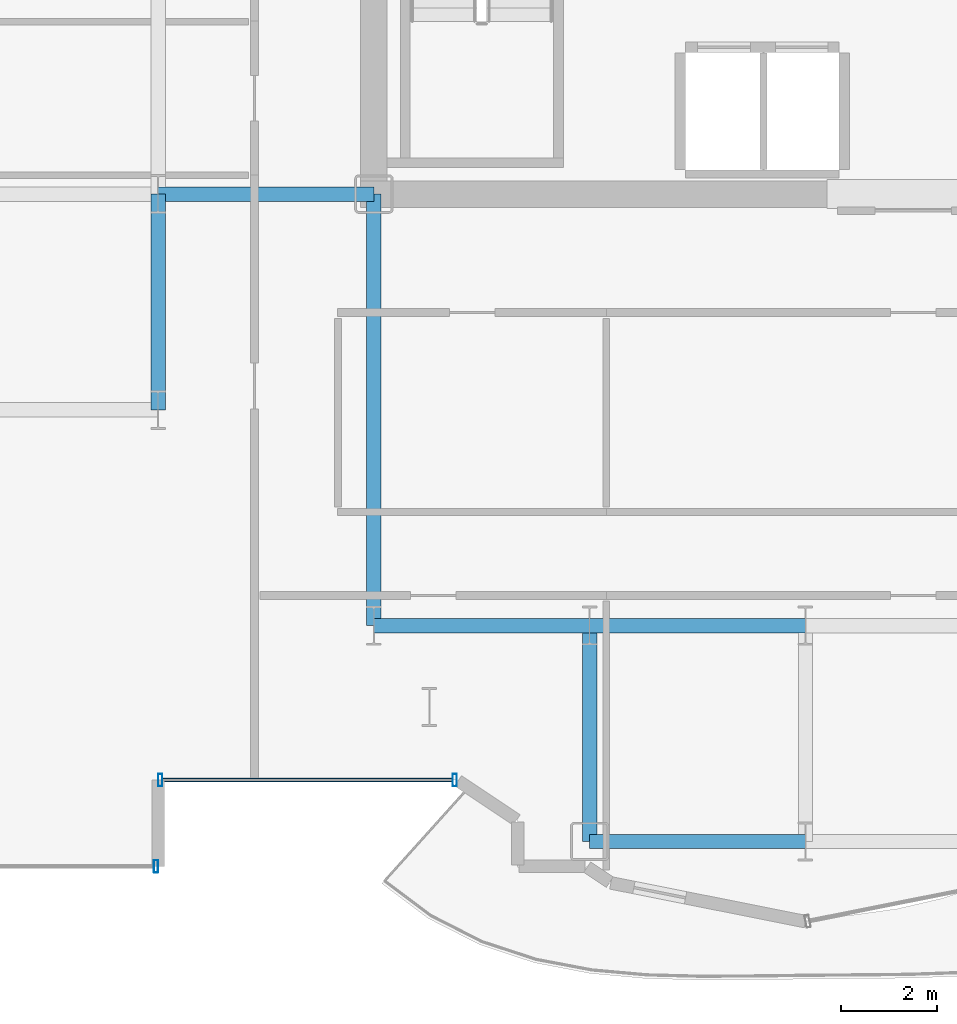
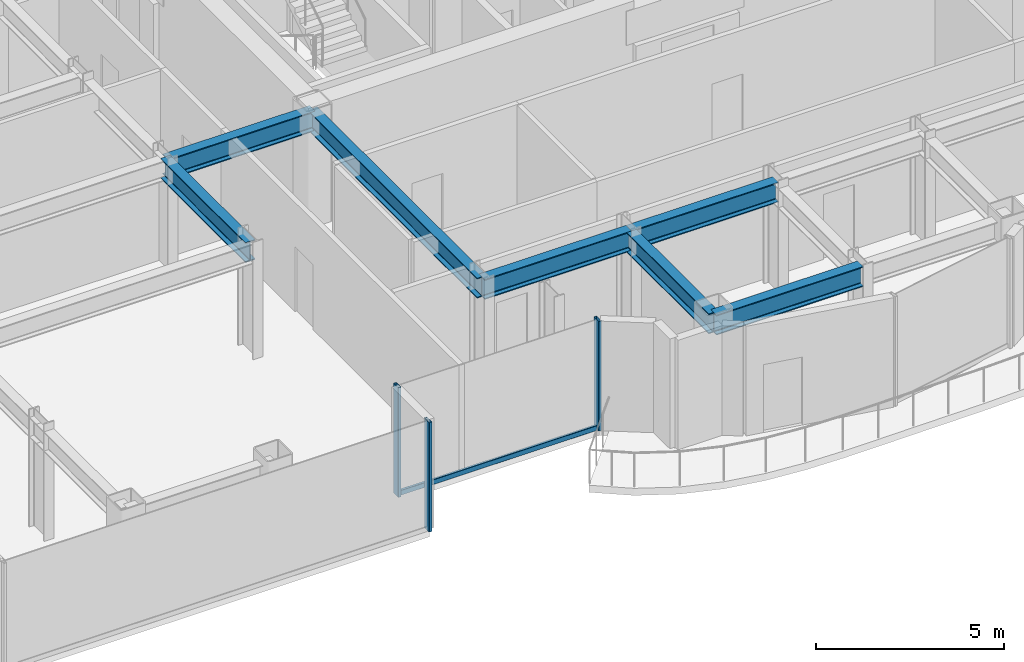
# One storey, part 5 of 22: 7 beams, 4 members, 2 elements without a shape of their own.
"""IFC4 building model written with IfcOpenShell, lengths in metres."""

from ifc_helpers import new_model, si_unit, direction, frame, origin, origin_2d, place, context, subcontext, project, spatial, hollow_rectangle, i_section, extrude, source, transform, mapped, material, layer, layer_set, material_profile, profile_set, type_object, element, aggregate, save


model = new_model("IFC4")

# Units and contexts
model_context = context("Model", 3, precision=1e-05, world=origin(), true_north=direction((0.0, 1.0)))
body_context = subcontext(model_context, "Body", "Model", "MODEL_VIEW")
ifc_project = project(units=[si_unit("LENGTHUNIT", "METRE"), si_unit("AREAUNIT", "SQUARE_METRE"), si_unit("VOLUMEUNIT", "CUBIC_METRE"), si_unit("PLANEANGLEUNIT", "RADIAN"), si_unit("MASSUNIT", "GRAM", prefix="KILO")], contexts=[model_context])

# Site, building, storey
site_placement = place(None, origin())
site = spatial("IfcSite", under=ifc_project, at=site_placement, CompositionType="ELEMENT")
building_placement = place(site_placement, origin())
building = spatial("IfcBuilding", under=site, at=building_placement, Name="Nefas-Gora Pilgrimage Tower", CompositionType="ELEMENT")
storey_placement = place(building_placement, frame((0.0, 0.0, 186.800048828125)))
storey = spatial("IfcBuildingStorey", under=building, at=storey_placement, Name="L46", CompositionType="ELEMENT", Elevation=186.800048828125)

# Beams
ifc_material_1 = material(Name="Steel S355", Category="steel")
ifc_material_profile_1 = material_profile(ifc_material_1, i_section(OverallWidth=0.300048828125, OverallDepth=0.64990234375, WebThickness=0.01611328125, FlangeThickness=0.031005859375, FilletRadius=0.027099609375, at=origin_2d()), Name="HEB 650")
ifc_profile_set_1 = profile_set([ifc_material_profile_1], Name="Steel S355")
beam_type = type_object("IfcBeamType", Name="BM-GIR-HEB650", PredefinedType="BEAM", material=ifc_profile_set_1)
shared_shape_1 = source(origin(), body_context, "Body", "SweptSolid", [
    extrude(i_section(OverallWidth=0.300048828125, OverallDepth=0.64990234375, WebThickness=0.01611328125, FlangeThickness=0.031005859375, FilletRadius=0.027099609375, at=origin_2d()), origin(), (0.0, 0.0, 1.0), 9.0),
])
beam_placement = place(storey_placement, frame((-11.25, -18.0, 3.224853515625), z_axis=(0.0, 1.0, 0.0), x_axis=(-1.0, 0.0, 0.0)))
element("IfcBeam", 1, at=beam_placement, inside=storey, type_object=beam_type, Name="L46 G-03 beam", PredefinedType="BEAM", context=body_context, shape_type="MappedRepresentation", body=[
    mapped(shared_shape_1, transform((0.0, 0.0, 0.0), x_axis=(1.0, 0.0, 0.0), y_axis=(0.0, 1.0, 0.0), z_axis=(0.0, 0.0, 1.0), scale=1.0)),
])
shared_shape_2 = source(origin(), body_context, "Body", "SweptSolid", [
    extrude(i_section(OverallWidth=0.300048828125, OverallDepth=0.64990234375, WebThickness=0.01611328125, FlangeThickness=0.031005859375, FilletRadius=0.027099609375, at=origin_2d()), origin(), (0.0, 0.0, 1.0), 4.5),
])
for number, where, z_axis, x_axis, name in (
    (2, (-15.75, -13.5, 3.224853515625), (0.0, 1.0, 0.0), (-1.0, 0.0, 0.0), "L46 G-03 beam"),
    (3, (-15.75, -9.0, 3.224853515625), (1.0, 0.0, 0.0), (0.0, 1.0, 0.0), "L46 G-03 beam"),
    (4, (-11.25, -18.0, 3.224853515625), (1.0, 0.0, 0.0), (0.0, 1.0, 0.0), "L46 G-03 beam"),
    (5, (-6.75, -22.5, 3.224853515625), (0.0, 1.0, 0.0), (-1.0, 0.0, 0.0), "L46 G-03 beam"),
    (6, (-6.75, -22.5, 3.224853515625), (1.0, 0.0, 0.0), (0.0, 1.0, 0.0), "L46 G-03 beam"),
    (7, (-6.75, -18.0, 3.224853515625), (1.0, 0.0, 0.0), (0.0, 1.0, 0.0), "L46 G-03 beam"),
):
    element("IfcBeam", number, at=place(storey_placement, frame(where, z_axis=z_axis, x_axis=x_axis)), inside=storey, type_object=beam_type, Name=name, PredefinedType="BEAM", context=body_context, shape_type="MappedRepresentation", body=[
        mapped(shared_shape_2, transform((0.0, 0.0, 0.0), x_axis=(1.0, 0.0, 0.0), y_axis=(0.0, 1.0, 0.0), z_axis=(0.0, 0.0, 1.0), scale=1.0)),
    ])

# Curtain wall, members
ifc_material_2 = material(Name="Dark ceramic-fritted solar-control aluminium-glass curtain wall", Category="aluminium")
ifc_layer_1 = layer(ifc_material_2, 0.219970703125)
ifc_layer_set_1 = layer_set([ifc_layer_1], Name="Dark ceramic-fritted solar-control aluminium-glass curtain wall")
curtain_wall_type_1 = type_object("IfcCurtainWallType", Name="CW-SYS-5", PredefinedType="NOTDEFINED", material=ifc_layer_set_1)
curtain_wall_1_placement = place(storey_placement, origin())
curtain_wall_1 = element("IfcCurtainWall", 8, at=curtain_wall_1_placement, inside=storey, type_object=curtain_wall_type_1, Name="L46 Unitised Curtain Wall CW5", PredefinedType="NOTDEFINED")
ifc_material_3 = material(Name="Anodised architectural aluminium", Category="aluminium")
ifc_material_profile_2 = material_profile(ifc_material_3, hollow_rectangle(XDim=0.090087890625, YDim=0.260009765625, WallThickness=0.006103515625, InnerFilletRadius=0.006103515625, OuterFilletRadius=0.011962890625, at=origin_2d()), Name="ALU MULLION 90x260")
ifc_profile_set_2 = profile_set([ifc_material_profile_2], Name="Anodised architectural aluminium")
member_type_1 = type_object("IfcMemberType", Name="CWM-MUL-5", PredefinedType="MULLION", material=ifc_profile_set_2)
shared_shape_3 = source(origin(), body_context, "Body", "SweptSolid", [
    extrude(hollow_rectangle(XDim=0.090087890625, YDim=0.260009765625, WallThickness=0.006103515625, InnerFilletRadius=0.006103515625, OuterFilletRadius=0.011962890625, at=origin_2d()), origin(), (0.0, 0.0, 1.0), 3.550048828125),
])
member_1_placement = place(storey_placement, frame((-15.705078125, -21.219970703125, 0.0), z_axis=(0.0, 0.0, 1.0), x_axis=(1.0, 0.0, 0.0)))
member_1 = element("IfcMember", 9, at=member_1_placement, type_object=member_type_1, Name="CW5 Mullion 1", PredefinedType="MULLION", context=body_context, shape_type="MappedRepresentation", body=[
    mapped(shared_shape_3, transform((0.0, 0.0, 0.0), x_axis=(1.0, 0.0, 0.0), y_axis=(0.0, 1.0, 0.0), z_axis=(0.0, 0.0, 1.0), scale=1.0)),
])
member_2_placement = place(storey_placement, frame((-9.56298828125, -21.219970703125, 0.0), z_axis=(0.0, 0.0, 1.0), x_axis=(1.0, 0.0, 0.0)))
member_2 = element("IfcMember", 10, at=member_2_placement, type_object=member_type_1, Name="CW5 Mullion 2", PredefinedType="MULLION", context=body_context, shape_type="MappedRepresentation", body=[
    mapped(shared_shape_3, transform((0.0, 0.0, 0.0), x_axis=(1.0, 0.0, 0.0), y_axis=(0.0, 1.0, 0.0), z_axis=(0.0, 0.0, 1.0), scale=1.0)),
])
ifc_material_profile_3 = material_profile(ifc_material_3, hollow_rectangle(XDim=0.080078125, YDim=0.159912109375, WallThickness=0.00439453125, InnerFilletRadius=0.00439453125, OuterFilletRadius=0.009033203125, at=origin_2d()), Name="ALU TRANSOM 80x160")
ifc_profile_set_3 = profile_set([ifc_material_profile_3], Name="Anodised architectural aluminium")
member_type_2 = type_object("IfcMemberType", Name="CWM-TRN-5", PredefinedType="USERDEFINED", material=ifc_profile_set_3)
shared_shape_4 = source(origin(), body_context, "Body", "SweptSolid", [
    extrude(hollow_rectangle(XDim=0.080078125, YDim=0.159912109375, WallThickness=0.00439453125, InnerFilletRadius=0.00439453125, OuterFilletRadius=0.009033203125, at=origin_2d()), origin(), (0.0, 0.0, 1.0), 6.052001953125),
])
member_3_placement = place(storey_placement, frame((-15.659912109375, -21.219970703125, 0.050048828125), z_axis=(1.0, 0.0, 0.0), x_axis=(0.0, 1.0, 0.0)))
member_3 = element("IfcMember", 11, at=member_3_placement, type_object=member_type_2, Name="CW5 Spandrel Transom", ObjectType="TRANSOM", PredefinedType="USERDEFINED", context=body_context, shape_type="MappedRepresentation", body=[
    mapped(shared_shape_4, transform((0.0, 0.0, 0.0), x_axis=(1.0, 0.0, 0.0), y_axis=(0.0, 1.0, 0.0), z_axis=(0.0, 0.0, 1.0), scale=1.0)),
])
aggregate(curtain_wall_1, [member_1, member_2, member_3])

# Curtain wall, member
ifc_layer_2 = layer(ifc_material_2, 0.219970703125)
ifc_layer_set_2 = layer_set([ifc_layer_2], Name="Dark ceramic-fritted solar-control aluminium-glass curtain wall")
curtain_wall_type_2 = type_object("IfcCurtainWallType", Name="CW-SYS-3", PredefinedType="NOTDEFINED", material=ifc_layer_set_2)
curtain_wall_2_placement = place(storey_placement, origin())
curtain_wall_2 = element("IfcCurtainWall", 12, at=curtain_wall_2_placement, inside=storey, type_object=curtain_wall_type_2, Name="L46 Unitised Curtain Wall CW3", PredefinedType="NOTDEFINED")
ifc_material_profile_4 = material_profile(ifc_material_3, hollow_rectangle(XDim=0.090087890625, YDim=0.260009765625, WallThickness=0.006103515625, InnerFilletRadius=0.006103515625, OuterFilletRadius=0.011962890625, at=origin_2d()), Name="ALU MULLION 90x260")
ifc_profile_set_4 = profile_set([ifc_material_profile_4], Name="Anodised architectural aluminium")
member_type_3 = type_object("IfcMemberType", Name="CWM-MUL-3", PredefinedType="MULLION", material=ifc_profile_set_4)
shared_shape_5 = source(origin(), body_context, "Body", "SweptSolid", [
    extrude(hollow_rectangle(XDim=0.090087890625, YDim=0.260009765625, WallThickness=0.006103515625, InnerFilletRadius=0.006103515625, OuterFilletRadius=0.011962890625, at=origin_2d()), origin(), (0.0, 0.0, 1.0), 3.550048828125),
])
member_4_placement = place(storey_placement, frame((-15.794921875, -23.02001953125, 0.0), z_axis=(0.0, 0.0, 1.0), x_axis=(1.0, 0.0, 0.0)))
member_4 = element("IfcMember", 13, at=member_4_placement, type_object=member_type_3, Name="CW3 Mullion 2", PredefinedType="MULLION", context=body_context, shape_type="MappedRepresentation", body=[
    mapped(shared_shape_5, transform((0.0, 0.0, 0.0), x_axis=(1.0, 0.0, 0.0), y_axis=(0.0, 1.0, 0.0), z_axis=(0.0, 0.0, 1.0), scale=1.0)),
])
aggregate(curtain_wall_2, [member_4])

save(model, "model.ifc")
